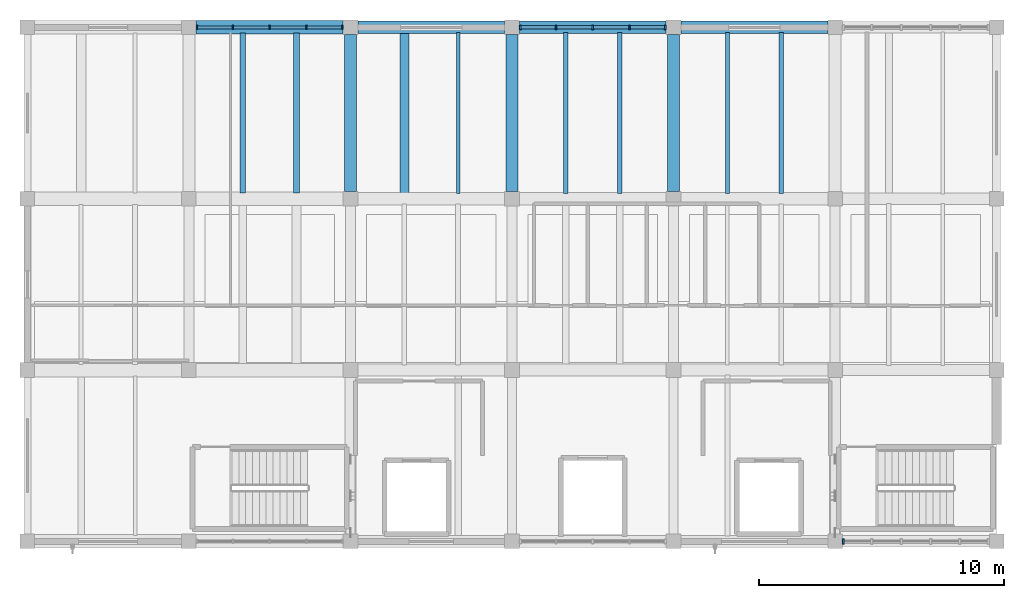
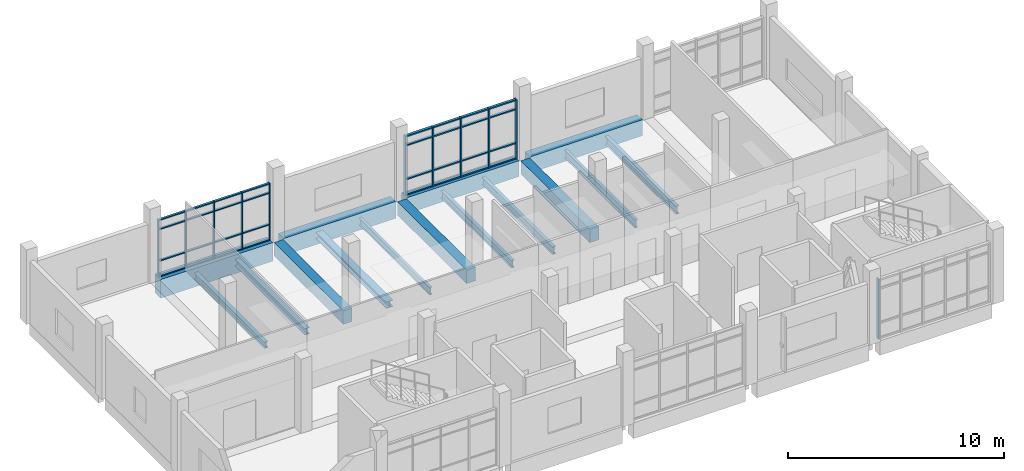
# One storey, part 4 of 14: 43 members, 15 beams, 3 elements without a shape of their own.
"""IFC4 building model written with IfcOpenShell, lengths in metres."""

from ifc_helpers import new_model, si_unit, direction, frame, origin, origin_2d, place, context, subcontext, project, spatial, rectangle, i_section, extrude, material, material_profile, profile_set, type_object, element, aggregate, save


model = new_model("IFC4")

# Units and contexts
model_context = context("Model", 3, precision=1e-05, world=origin(), true_north=direction((0.0, 1.0)))
body_context = subcontext(model_context, "Body", "Model", "MODEL_VIEW")
ifc_project = project(units=[si_unit("LENGTHUNIT", "METRE"), si_unit("AREAUNIT", "SQUARE_METRE"), si_unit("VOLUMEUNIT", "CUBIC_METRE"), si_unit("PLANEANGLEUNIT", "RADIAN"), si_unit("MASSUNIT", "GRAM", prefix="KILO")], contexts=[model_context])

# Site, building, storey
site_placement = place(None, origin())
site = spatial("IfcSite", under=ifc_project, at=site_placement, CompositionType="ELEMENT")
building_placement = place(site_placement, origin())
building = spatial("IfcBuilding", under=site, at=building_placement, Name="Ciguamira Faculty of Natural Sciences", CompositionType="ELEMENT")
storey_placement = place(building_placement, frame((0.0, 0.0, 33.60009765625)))
storey = spatial("IfcBuildingStorey", under=building, at=storey_placement, Name="L08", CompositionType="ELEMENT", Elevation=33.60009765625)

# Curtain wall, members
ifc_material_1 = material(Name="Anodized aluminium curtain wall", Category="aluminium")
curtain_wall_type_1 = type_object("IfcCurtainWallType", Name="CurtainWall_CW-01", PredefinedType="USERDEFINED", material=ifc_material_1)
curtain_wall_1_placement = place(storey_placement, origin())
curtain_wall_1 = element("IfcCurtainWall", 1, at=curtain_wall_1_placement, inside=storey, type_object=curtain_wall_type_1, Name="L08 unitised curtain wall 0157", ObjectType="UNITISED CURTAIN WALL", PredefinedType="USERDEFINED")
ifc_material_2 = material(Name="Anodized aluminium mullion", Category="aluminium")
ifc_material_profile_1 = material_profile(ifc_material_2, rectangle(XDim=0.06005859375, YDim=0.159912109375, at=origin_2d()), Name="ALU-MUL-60X160")
ifc_profile_set_1 = profile_set([ifc_material_profile_1], Name="Anodized aluminium mullion")
member_type_1 = type_object("IfcMemberType", Name="CWMullion_CWM-01", PredefinedType="MULLION", material=ifc_profile_set_1)
member_1_placement = place(storey_placement, frame((70.830078125, 115.0, 0.0), z_axis=(0.0, 0.0, 1.0), x_axis=(1.0, 0.0, 0.0)))
member_1 = element("IfcMember", 2, at=member_1_placement, type_object=member_type_1, Name="CW-01 mullion 1", PredefinedType="MULLION", context=body_context, shape_type="SweptSolid", body=[
    extrude(rectangle(XDim=0.06005859375, YDim=0.159912109375, at=origin_2d()), origin(), (0.0, 0.0, 1.0), 3.23486328125),
])
member_2_placement = place(storey_placement, frame((72.300048828125, 115.0, 0.0), z_axis=(0.0, 0.0, 1.0), x_axis=(1.0, 0.0, 0.0)))
member_2 = element("IfcMember", 3, at=member_2_placement, type_object=member_type_1, Name="CW-01 mullion 2", PredefinedType="MULLION", context=body_context, shape_type="SweptSolid", body=[
    extrude(rectangle(XDim=0.06005859375, YDim=0.159912109375, at=origin_2d()), origin(), (0.0, 0.0, 1.0), 3.23486328125),
])
member_3_placement = place(storey_placement, frame((73.800048828125, 115.0, 0.0), z_axis=(0.0, 0.0, 1.0), x_axis=(1.0, 0.0, 0.0)))
member_3 = element("IfcMember", 4, at=member_3_placement, type_object=member_type_1, Name="CW-01 mullion 3", PredefinedType="MULLION", context=body_context, shape_type="SweptSolid", body=[
    extrude(rectangle(XDim=0.06005859375, YDim=0.159912109375, at=origin_2d()), origin(), (0.0, 0.0, 1.0), 3.23486328125),
])
member_4_placement = place(storey_placement, frame((75.300048828125, 115.0, 0.0), z_axis=(0.0, 0.0, 1.0), x_axis=(1.0, 0.0, 0.0)))
member_4 = element("IfcMember", 5, at=member_4_placement, type_object=member_type_1, Name="CW-01 mullion 4", PredefinedType="MULLION", context=body_context, shape_type="SweptSolid", body=[
    extrude(rectangle(XDim=0.06005859375, YDim=0.159912109375, at=origin_2d()), origin(), (0.0, 0.0, 1.0), 3.23486328125),
])
member_5_placement = place(storey_placement, frame((76.77001953125, 115.0, 0.0), z_axis=(0.0, 0.0, 1.0), x_axis=(1.0, 0.0, 0.0)))
member_5 = element("IfcMember", 6, at=member_5_placement, type_object=member_type_1, Name="CW-01 mullion 5", PredefinedType="MULLION", context=body_context, shape_type="SweptSolid", body=[
    extrude(rectangle(XDim=0.06005859375, YDim=0.159912109375, at=origin_2d()), origin(), (0.0, 0.0, 1.0), 3.23486328125),
])

curtain_wall_type_2 = type_object("IfcCurtainWallType", Name="CurtainWall_CW-02", PredefinedType="USERDEFINED", material=ifc_material_1)
curtain_wall_2_placement = place(storey_placement, origin())
curtain_wall_2 = element("IfcCurtainWall", 7, at=curtain_wall_2_placement, inside=storey, type_object=curtain_wall_type_2, Name="L08 unitised curtain wall 0158", ObjectType="UNITISED CURTAIN WALL", PredefinedType="USERDEFINED")
ifc_material_profile_2 = material_profile(ifc_material_2, rectangle(XDim=0.070068359375, YDim=0.179931640625, at=origin_2d()), Name="ALU-MUL-70X180")
ifc_profile_set_2 = profile_set([ifc_material_profile_2], Name="Anodized aluminium mullion")
member_type_2 = type_object("IfcMemberType", Name="CWMullion_CWM-02", PredefinedType="MULLION", material=ifc_profile_set_2)
member_6_placement = place(storey_placement, frame((84.034912109375, 115.0, 0.0), z_axis=(0.0, 0.0, 1.0), x_axis=(1.0, 0.0, 0.0)))
member_6 = element("IfcMember", 8, at=member_6_placement, type_object=member_type_2, Name="CW-02 mullion 1", PredefinedType="MULLION", context=body_context, shape_type="SweptSolid", body=[
    extrude(rectangle(XDim=0.070068359375, YDim=0.179931640625, at=origin_2d()), origin(), (0.0, 0.0, 1.0), 3.364990234375),
])
member_7_placement = place(storey_placement, frame((85.5, 115.0, 0.0), z_axis=(0.0, 0.0, 1.0), x_axis=(1.0, 0.0, 0.0)))
member_7 = element("IfcMember", 9, at=member_7_placement, type_object=member_type_2, Name="CW-02 mullion 2", PredefinedType="MULLION", context=body_context, shape_type="SweptSolid", body=[
    extrude(rectangle(XDim=0.070068359375, YDim=0.179931640625, at=origin_2d()), origin(), (0.0, 0.0, 1.0), 3.364990234375),
])
member_8_placement = place(storey_placement, frame((87.0, 115.0, 0.0), z_axis=(0.0, 0.0, 1.0), x_axis=(1.0, 0.0, 0.0)))
member_8 = element("IfcMember", 10, at=member_8_placement, type_object=member_type_2, Name="CW-02 mullion 3", PredefinedType="MULLION", context=body_context, shape_type="SweptSolid", body=[
    extrude(rectangle(XDim=0.070068359375, YDim=0.179931640625, at=origin_2d()), origin(), (0.0, 0.0, 1.0), 3.364990234375),
])
member_9_placement = place(storey_placement, frame((88.5, 115.0, 0.0), z_axis=(0.0, 0.0, 1.0), x_axis=(1.0, 0.0, 0.0)))
member_9 = element("IfcMember", 11, at=member_9_placement, type_object=member_type_2, Name="CW-02 mullion 4", PredefinedType="MULLION", context=body_context, shape_type="SweptSolid", body=[
    extrude(rectangle(XDim=0.070068359375, YDim=0.179931640625, at=origin_2d()), origin(), (0.0, 0.0, 1.0), 3.364990234375),
])
member_10_placement = place(storey_placement, frame((89.965087890625, 115.0, 0.0), z_axis=(0.0, 0.0, 1.0), x_axis=(1.0, 0.0, 0.0)))
member_10 = element("IfcMember", 12, at=member_10_placement, type_object=member_type_2, Name="CW-02 mullion 5", PredefinedType="MULLION", context=body_context, shape_type="SweptSolid", body=[
    extrude(rectangle(XDim=0.070068359375, YDim=0.179931640625, at=origin_2d()), origin(), (0.0, 0.0, 1.0), 3.364990234375),
])

# Curtain wall, member
curtain_wall_type_3 = type_object("IfcCurtainWallType", Name="CurtainWall_CW-12", PredefinedType="USERDEFINED", material=ifc_material_1)
curtain_wall_3_placement = place(storey_placement, origin())
curtain_wall_3 = element("IfcCurtainWall", 13, at=curtain_wall_3_placement, inside=storey, type_object=curtain_wall_type_3, Name="L08 unitised curtain wall 0156", ObjectType="UNITISED CURTAIN WALL", PredefinedType="USERDEFINED")
ifc_material_profile_3 = material_profile(ifc_material_2, rectangle(XDim=0.080078125, YDim=0.219970703125, at=origin_2d()), Name="ALU-MUL-80X220")
ifc_profile_set_3 = profile_set([ifc_material_profile_3], Name="Anodized aluminium mullion")
member_type_3 = type_object("IfcMemberType", Name="CWMullion_CWM-03", PredefinedType="MULLION", material=ifc_profile_set_3)
member_11_placement = place(storey_placement, frame((97.239990234375, 94.0, 0.0), z_axis=(0.0, 0.0, 1.0), x_axis=(1.0, 0.0, 0.0)))
member_11 = element("IfcMember", 14, at=member_11_placement, type_object=member_type_3, Name="CW-12 mullion 1", PredefinedType="MULLION", context=body_context, shape_type="SweptSolid", body=[
    extrude(rectangle(XDim=0.080078125, YDim=0.219970703125, at=origin_2d()), origin(), (0.0, 0.0, 1.0), 3.385009765625),
])
aggregate(curtain_wall_3, [member_11])

# Member
ifc_material_3 = material(Name="Anodized aluminium transom", Category="aluminium")
ifc_material_profile_4 = material_profile(ifc_material_3, rectangle(XDim=0.06005859375, YDim=0.1201171875, at=origin_2d()), Name="ALU-TRN-60X120")
ifc_profile_set_4 = profile_set([ifc_material_profile_4], Name="Anodized aluminium transom")
member_type_4 = type_object("IfcMemberType", Name="CWTransom_CWT-01", PredefinedType="USERDEFINED", material=ifc_profile_set_4)
member_12_placement = place(storey_placement, frame((70.860107421875, 115.0, 0.02978515625), z_axis=(1.0, 0.0, 0.0), x_axis=(0.0, 0.0, 1.0)))
member_12 = element("IfcMember", 15, at=member_12_placement, type_object=member_type_4, Name="CW-01 transom 1.1", ObjectType="TRANSOM", PredefinedType="USERDEFINED", context=body_context, shape_type="SweptSolid", body=[
    extrude(rectangle(XDim=0.06005859375, YDim=0.1201171875, at=origin_2d()), origin(), (0.0, 0.0, 1.0), 1.409912109375),
])

member_13_placement = place(storey_placement, frame((70.860107421875, 115.0, 0.89990234375), z_axis=(1.0, 0.0, 0.0), x_axis=(0.0, 0.0, 1.0)))
member_13 = element("IfcMember", 16, at=member_13_placement, type_object=member_type_4, Name="CW-01 transom 1.2", ObjectType="TRANSOM", PredefinedType="USERDEFINED", context=body_context, shape_type="SweptSolid", body=[
    extrude(rectangle(XDim=0.06005859375, YDim=0.1201171875, at=origin_2d()), origin(), (0.0, 0.0, 1.0), 1.409912109375),
])

member_14_placement = place(storey_placement, frame((70.860107421875, 115.0, 2.684814453125), z_axis=(1.0, 0.0, 0.0), x_axis=(0.0, 0.0, 1.0)))
member_14 = element("IfcMember", 17, at=member_14_placement, type_object=member_type_4, Name="CW-01 transom 1.3", ObjectType="TRANSOM", PredefinedType="USERDEFINED", context=body_context, shape_type="SweptSolid", body=[
    extrude(rectangle(XDim=0.06005859375, YDim=0.1201171875, at=origin_2d()), origin(), (0.0, 0.0, 1.0), 1.409912109375),
])

member_15_placement = place(storey_placement, frame((70.860107421875, 115.0, 3.204833984375), z_axis=(1.0, 0.0, 0.0), x_axis=(0.0, 0.0, 1.0)))
member_15 = element("IfcMember", 18, at=member_15_placement, type_object=member_type_4, Name="CW-01 transom 1.4", ObjectType="TRANSOM", PredefinedType="USERDEFINED", context=body_context, shape_type="SweptSolid", body=[
    extrude(rectangle(XDim=0.06005859375, YDim=0.1201171875, at=origin_2d()), origin(), (0.0, 0.0, 1.0), 1.409912109375),
])

member_16_placement = place(storey_placement, frame((72.330078125, 115.0, 0.02978515625), z_axis=(1.0, 0.0, 0.0), x_axis=(0.0, 0.0, 1.0)))
member_16 = element("IfcMember", 19, at=member_16_placement, type_object=member_type_4, Name="CW-01 transom 2.1", ObjectType="TRANSOM", PredefinedType="USERDEFINED", context=body_context, shape_type="SweptSolid", body=[
    extrude(rectangle(XDim=0.06005859375, YDim=0.1201171875, at=origin_2d()), origin(), (0.0, 0.0, 1.0), 1.43994140625),
])

member_17_placement = place(storey_placement, frame((72.330078125, 115.0, 0.89990234375), z_axis=(1.0, 0.0, 0.0), x_axis=(0.0, 0.0, 1.0)))
member_17 = element("IfcMember", 20, at=member_17_placement, type_object=member_type_4, Name="CW-01 transom 2.2", ObjectType="TRANSOM", PredefinedType="USERDEFINED", context=body_context, shape_type="SweptSolid", body=[
    extrude(rectangle(XDim=0.06005859375, YDim=0.1201171875, at=origin_2d()), origin(), (0.0, 0.0, 1.0), 1.43994140625),
])

member_18_placement = place(storey_placement, frame((72.330078125, 115.0, 2.684814453125), z_axis=(1.0, 0.0, 0.0), x_axis=(0.0, 0.0, 1.0)))
member_18 = element("IfcMember", 21, at=member_18_placement, type_object=member_type_4, Name="CW-01 transom 2.3", ObjectType="TRANSOM", PredefinedType="USERDEFINED", context=body_context, shape_type="SweptSolid", body=[
    extrude(rectangle(XDim=0.06005859375, YDim=0.1201171875, at=origin_2d()), origin(), (0.0, 0.0, 1.0), 1.43994140625),
])

member_19_placement = place(storey_placement, frame((72.330078125, 115.0, 3.204833984375), z_axis=(1.0, 0.0, 0.0), x_axis=(0.0, 0.0, 1.0)))
member_19 = element("IfcMember", 22, at=member_19_placement, type_object=member_type_4, Name="CW-01 transom 2.4", ObjectType="TRANSOM", PredefinedType="USERDEFINED", context=body_context, shape_type="SweptSolid", body=[
    extrude(rectangle(XDim=0.06005859375, YDim=0.1201171875, at=origin_2d()), origin(), (0.0, 0.0, 1.0), 1.43994140625),
])

member_20_placement = place(storey_placement, frame((73.830078125, 115.0, 0.02978515625), z_axis=(1.0, 0.0, 0.0), x_axis=(0.0, 0.0, 1.0)))
member_20 = element("IfcMember", 23, at=member_20_placement, type_object=member_type_4, Name="CW-01 transom 3.1", ObjectType="TRANSOM", PredefinedType="USERDEFINED", context=body_context, shape_type="SweptSolid", body=[
    extrude(rectangle(XDim=0.06005859375, YDim=0.1201171875, at=origin_2d()), origin(), (0.0, 0.0, 1.0), 1.43994140625),
])

member_21_placement = place(storey_placement, frame((73.830078125, 115.0, 0.89990234375), z_axis=(1.0, 0.0, 0.0), x_axis=(0.0, 0.0, 1.0)))
member_21 = element("IfcMember", 24, at=member_21_placement, type_object=member_type_4, Name="CW-01 transom 3.2", ObjectType="TRANSOM", PredefinedType="USERDEFINED", context=body_context, shape_type="SweptSolid", body=[
    extrude(rectangle(XDim=0.06005859375, YDim=0.1201171875, at=origin_2d()), origin(), (0.0, 0.0, 1.0), 1.43994140625),
])

member_22_placement = place(storey_placement, frame((73.830078125, 115.0, 2.684814453125), z_axis=(1.0, 0.0, 0.0), x_axis=(0.0, 0.0, 1.0)))
member_22 = element("IfcMember", 25, at=member_22_placement, type_object=member_type_4, Name="CW-01 transom 3.3", ObjectType="TRANSOM", PredefinedType="USERDEFINED", context=body_context, shape_type="SweptSolid", body=[
    extrude(rectangle(XDim=0.06005859375, YDim=0.1201171875, at=origin_2d()), origin(), (0.0, 0.0, 1.0), 1.43994140625),
])

member_23_placement = place(storey_placement, frame((73.830078125, 115.0, 3.204833984375), z_axis=(1.0, 0.0, 0.0), x_axis=(0.0, 0.0, 1.0)))
member_23 = element("IfcMember", 26, at=member_23_placement, type_object=member_type_4, Name="CW-01 transom 3.4", ObjectType="TRANSOM", PredefinedType="USERDEFINED", context=body_context, shape_type="SweptSolid", body=[
    extrude(rectangle(XDim=0.06005859375, YDim=0.1201171875, at=origin_2d()), origin(), (0.0, 0.0, 1.0), 1.43994140625),
])

member_24_placement = place(storey_placement, frame((75.330078125, 115.0, 0.02978515625), z_axis=(1.0, 0.0, 0.0), x_axis=(0.0, 0.0, 1.0)))
member_24 = element("IfcMember", 27, at=member_24_placement, type_object=member_type_4, Name="CW-01 transom 4.1", ObjectType="TRANSOM", PredefinedType="USERDEFINED", context=body_context, shape_type="SweptSolid", body=[
    extrude(rectangle(XDim=0.06005859375, YDim=0.1201171875, at=origin_2d()), origin(), (0.0, 0.0, 1.0), 1.409912109375),
])

member_25_placement = place(storey_placement, frame((75.330078125, 115.0, 0.89990234375), z_axis=(1.0, 0.0, 0.0), x_axis=(0.0, 0.0, 1.0)))
member_25 = element("IfcMember", 28, at=member_25_placement, type_object=member_type_4, Name="CW-01 transom 4.2", ObjectType="TRANSOM", PredefinedType="USERDEFINED", context=body_context, shape_type="SweptSolid", body=[
    extrude(rectangle(XDim=0.06005859375, YDim=0.1201171875, at=origin_2d()), origin(), (0.0, 0.0, 1.0), 1.409912109375),
])

member_26_placement = place(storey_placement, frame((75.330078125, 115.0, 2.684814453125), z_axis=(1.0, 0.0, 0.0), x_axis=(0.0, 0.0, 1.0)))
member_26 = element("IfcMember", 29, at=member_26_placement, type_object=member_type_4, Name="CW-01 transom 4.3", ObjectType="TRANSOM", PredefinedType="USERDEFINED", context=body_context, shape_type="SweptSolid", body=[
    extrude(rectangle(XDim=0.06005859375, YDim=0.1201171875, at=origin_2d()), origin(), (0.0, 0.0, 1.0), 1.409912109375),
])

member_27_placement = place(storey_placement, frame((75.330078125, 115.0, 3.204833984375), z_axis=(1.0, 0.0, 0.0), x_axis=(0.0, 0.0, 1.0)))
member_27 = element("IfcMember", 30, at=member_27_placement, type_object=member_type_4, Name="CW-01 transom 4.4", ObjectType="TRANSOM", PredefinedType="USERDEFINED", context=body_context, shape_type="SweptSolid", body=[
    extrude(rectangle(XDim=0.06005859375, YDim=0.1201171875, at=origin_2d()), origin(), (0.0, 0.0, 1.0), 1.409912109375),
])

aggregate(curtain_wall_1, [member_1, member_2, member_3, member_4, member_5, member_12, member_13, member_14, member_15, member_16, member_17, member_18, member_19, member_20, member_21, member_22, member_23, member_24, member_25, member_26, member_27])

ifc_material_profile_5 = material_profile(ifc_material_3, rectangle(XDim=0.070068359375, YDim=0.139892578125, at=origin_2d()), Name="ALU-TRN-70X140")
ifc_profile_set_5 = profile_set([ifc_material_profile_5], Name="Anodized aluminium transom")
member_type_5 = type_object("IfcMemberType", Name="CWTransom_CWT-02", PredefinedType="USERDEFINED", material=ifc_profile_set_5)
member_28_placement = place(storey_placement, frame((84.070068359375, 115.0, 0.034912109375), z_axis=(1.0, 0.0, 0.0), x_axis=(0.0, 0.0, 1.0)))
member_28 = element("IfcMember", 31, at=member_28_placement, type_object=member_type_5, Name="CW-02 transom 1.1", ObjectType="TRANSOM", PredefinedType="USERDEFINED", context=body_context, shape_type="SweptSolid", body=[
    extrude(rectangle(XDim=0.070068359375, YDim=0.139892578125, at=origin_2d()), origin(), (0.0, 0.0, 1.0), 1.39501953125),
])

member_29_placement = place(storey_placement, frame((84.070068359375, 115.0, 0.89990234375), z_axis=(1.0, 0.0, 0.0), x_axis=(0.0, 0.0, 1.0)))
member_29 = element("IfcMember", 32, at=member_29_placement, type_object=member_type_5, Name="CW-02 transom 1.2", ObjectType="TRANSOM", PredefinedType="USERDEFINED", context=body_context, shape_type="SweptSolid", body=[
    extrude(rectangle(XDim=0.070068359375, YDim=0.139892578125, at=origin_2d()), origin(), (0.0, 0.0, 1.0), 1.39501953125),
])

member_30_placement = place(storey_placement, frame((84.070068359375, 115.0, 2.81494140625), z_axis=(1.0, 0.0, 0.0), x_axis=(0.0, 0.0, 1.0)))
member_30 = element("IfcMember", 33, at=member_30_placement, type_object=member_type_5, Name="CW-02 transom 1.3", ObjectType="TRANSOM", PredefinedType="USERDEFINED", context=body_context, shape_type="SweptSolid", body=[
    extrude(rectangle(XDim=0.070068359375, YDim=0.139892578125, at=origin_2d()), origin(), (0.0, 0.0, 1.0), 1.39501953125),
])

member_31_placement = place(storey_placement, frame((84.070068359375, 115.0, 3.329833984375), z_axis=(1.0, 0.0, 0.0), x_axis=(0.0, 0.0, 1.0)))
member_31 = element("IfcMember", 34, at=member_31_placement, type_object=member_type_5, Name="CW-02 transom 1.4", ObjectType="TRANSOM", PredefinedType="USERDEFINED", context=body_context, shape_type="SweptSolid", body=[
    extrude(rectangle(XDim=0.070068359375, YDim=0.139892578125, at=origin_2d()), origin(), (0.0, 0.0, 1.0), 1.39501953125),
])

member_32_placement = place(storey_placement, frame((85.534912109375, 115.0, 0.034912109375), z_axis=(1.0, 0.0, 0.0), x_axis=(0.0, 0.0, 1.0)))
member_32 = element("IfcMember", 35, at=member_32_placement, type_object=member_type_5, Name="CW-02 transom 2.1", ObjectType="TRANSOM", PredefinedType="USERDEFINED", context=body_context, shape_type="SweptSolid", body=[
    extrude(rectangle(XDim=0.070068359375, YDim=0.139892578125, at=origin_2d()), origin(), (0.0, 0.0, 1.0), 1.43017578125),
])

member_33_placement = place(storey_placement, frame((85.534912109375, 115.0, 0.89990234375), z_axis=(1.0, 0.0, 0.0), x_axis=(0.0, 0.0, 1.0)))
member_33 = element("IfcMember", 36, at=member_33_placement, type_object=member_type_5, Name="CW-02 transom 2.2", ObjectType="TRANSOM", PredefinedType="USERDEFINED", context=body_context, shape_type="SweptSolid", body=[
    extrude(rectangle(XDim=0.070068359375, YDim=0.139892578125, at=origin_2d()), origin(), (0.0, 0.0, 1.0), 1.43017578125),
])

member_34_placement = place(storey_placement, frame((85.534912109375, 115.0, 2.81494140625), z_axis=(1.0, 0.0, 0.0), x_axis=(0.0, 0.0, 1.0)))
member_34 = element("IfcMember", 37, at=member_34_placement, type_object=member_type_5, Name="CW-02 transom 2.3", ObjectType="TRANSOM", PredefinedType="USERDEFINED", context=body_context, shape_type="SweptSolid", body=[
    extrude(rectangle(XDim=0.070068359375, YDim=0.139892578125, at=origin_2d()), origin(), (0.0, 0.0, 1.0), 1.43017578125),
])

member_35_placement = place(storey_placement, frame((85.534912109375, 115.0, 3.329833984375), z_axis=(1.0, 0.0, 0.0), x_axis=(0.0, 0.0, 1.0)))
member_35 = element("IfcMember", 38, at=member_35_placement, type_object=member_type_5, Name="CW-02 transom 2.4", ObjectType="TRANSOM", PredefinedType="USERDEFINED", context=body_context, shape_type="SweptSolid", body=[
    extrude(rectangle(XDim=0.070068359375, YDim=0.139892578125, at=origin_2d()), origin(), (0.0, 0.0, 1.0), 1.43017578125),
])

member_36_placement = place(storey_placement, frame((87.034912109375, 115.0, 0.034912109375), z_axis=(1.0, 0.0, 0.0), x_axis=(0.0, 0.0, 1.0)))
member_36 = element("IfcMember", 39, at=member_36_placement, type_object=member_type_5, Name="CW-02 transom 3.1", ObjectType="TRANSOM", PredefinedType="USERDEFINED", context=body_context, shape_type="SweptSolid", body=[
    extrude(rectangle(XDim=0.070068359375, YDim=0.139892578125, at=origin_2d()), origin(), (0.0, 0.0, 1.0), 1.43017578125),
])

member_37_placement = place(storey_placement, frame((87.034912109375, 115.0, 0.89990234375), z_axis=(1.0, 0.0, 0.0), x_axis=(0.0, 0.0, 1.0)))
member_37 = element("IfcMember", 40, at=member_37_placement, type_object=member_type_5, Name="CW-02 transom 3.2", ObjectType="TRANSOM", PredefinedType="USERDEFINED", context=body_context, shape_type="SweptSolid", body=[
    extrude(rectangle(XDim=0.070068359375, YDim=0.139892578125, at=origin_2d()), origin(), (0.0, 0.0, 1.0), 1.43017578125),
])

member_38_placement = place(storey_placement, frame((87.034912109375, 115.0, 2.81494140625), z_axis=(1.0, 0.0, 0.0), x_axis=(0.0, 0.0, 1.0)))
member_38 = element("IfcMember", 41, at=member_38_placement, type_object=member_type_5, Name="CW-02 transom 3.3", ObjectType="TRANSOM", PredefinedType="USERDEFINED", context=body_context, shape_type="SweptSolid", body=[
    extrude(rectangle(XDim=0.070068359375, YDim=0.139892578125, at=origin_2d()), origin(), (0.0, 0.0, 1.0), 1.43017578125),
])

member_39_placement = place(storey_placement, frame((87.034912109375, 115.0, 3.329833984375), z_axis=(1.0, 0.0, 0.0), x_axis=(0.0, 0.0, 1.0)))
member_39 = element("IfcMember", 42, at=member_39_placement, type_object=member_type_5, Name="CW-02 transom 3.4", ObjectType="TRANSOM", PredefinedType="USERDEFINED", context=body_context, shape_type="SweptSolid", body=[
    extrude(rectangle(XDim=0.070068359375, YDim=0.139892578125, at=origin_2d()), origin(), (0.0, 0.0, 1.0), 1.43017578125),
])

member_40_placement = place(storey_placement, frame((88.534912109375, 115.0, 0.034912109375), z_axis=(1.0, 0.0, 0.0), x_axis=(0.0, 0.0, 1.0)))
member_40 = element("IfcMember", 43, at=member_40_placement, type_object=member_type_5, Name="CW-02 transom 4.1", ObjectType="TRANSOM", PredefinedType="USERDEFINED", context=body_context, shape_type="SweptSolid", body=[
    extrude(rectangle(XDim=0.070068359375, YDim=0.139892578125, at=origin_2d()), origin(), (0.0, 0.0, 1.0), 1.39501953125),
])

member_41_placement = place(storey_placement, frame((88.534912109375, 115.0, 0.89990234375), z_axis=(1.0, 0.0, 0.0), x_axis=(0.0, 0.0, 1.0)))
member_41 = element("IfcMember", 44, at=member_41_placement, type_object=member_type_5, Name="CW-02 transom 4.2", ObjectType="TRANSOM", PredefinedType="USERDEFINED", context=body_context, shape_type="SweptSolid", body=[
    extrude(rectangle(XDim=0.070068359375, YDim=0.139892578125, at=origin_2d()), origin(), (0.0, 0.0, 1.0), 1.39501953125),
])

member_42_placement = place(storey_placement, frame((88.534912109375, 115.0, 2.81494140625), z_axis=(1.0, 0.0, 0.0), x_axis=(0.0, 0.0, 1.0)))
member_42 = element("IfcMember", 45, at=member_42_placement, type_object=member_type_5, Name="CW-02 transom 4.3", ObjectType="TRANSOM", PredefinedType="USERDEFINED", context=body_context, shape_type="SweptSolid", body=[
    extrude(rectangle(XDim=0.070068359375, YDim=0.139892578125, at=origin_2d()), origin(), (0.0, 0.0, 1.0), 1.39501953125),
])

member_43_placement = place(storey_placement, frame((88.534912109375, 115.0, 3.329833984375), z_axis=(1.0, 0.0, 0.0), x_axis=(0.0, 0.0, 1.0)))
member_43 = element("IfcMember", 46, at=member_43_placement, type_object=member_type_5, Name="CW-02 transom 4.4", ObjectType="TRANSOM", PredefinedType="USERDEFINED", context=body_context, shape_type="SweptSolid", body=[
    extrude(rectangle(XDim=0.070068359375, YDim=0.139892578125, at=origin_2d()), origin(), (0.0, 0.0, 1.0), 1.39501953125),
])

aggregate(curtain_wall_2, [member_6, member_7, member_8, member_9, member_10, member_28, member_29, member_30, member_31, member_32, member_33, member_34, member_35, member_36, member_37, member_38, member_39, member_40, member_41, member_42, member_43])

# Beams
ifc_material_4 = material(Name="Concrete C40/50", Category="concrete")
ifc_material_profile_6 = material_profile(ifc_material_4, rectangle(XDim=0.550048828125, YDim=1.050048828125, at=origin_2d()), Name="RC-BM-550X1050")
ifc_profile_set_6 = profile_set([ifc_material_profile_6], Name="Concrete C40/50")
beam_type_1 = type_object("IfcBeamType", Name="RCBeam_BG-01_RC-BM-550X1050", PredefinedType="BEAM", material=ifc_profile_set_6)
beam_1_placement = place(storey_placement, frame((70.800048828125, 115.0, -0.525146484375), z_axis=(1.0, 0.0, 0.0), x_axis=(0.0, 1.0, 0.0)))
element("IfcBeam", 47, at=beam_1_placement, inside=storey, type_object=beam_type_1, Name="L08 RC girder EW-1611", PredefinedType="BEAM", context=body_context, shape_type="SweptSolid", body=[
    extrude(rectangle(XDim=0.550048828125, YDim=1.050048828125, at=origin_2d()), origin(), (0.0, 0.0, 1.0), 6.0),
])
ifc_material_profile_7 = material_profile(ifc_material_4, rectangle(XDim=0.5, YDim=0.949951171875, at=origin_2d()), Name="RC-BM-500X950")
ifc_profile_set_7 = profile_set([ifc_material_profile_7], Name="Concrete C40/50")
beam_type_2 = type_object("IfcBeamType", Name="RCBeam_BG-02_RC-BM-500X950", PredefinedType="BEAM", material=ifc_profile_set_7)
beam_2_placement = place(storey_placement, frame((77.39990234375, 115.0, -0.47509765625), z_axis=(1.0, 0.0, 0.0), x_axis=(0.0, 1.0, 0.0)))
element("IfcBeam", 48, at=beam_2_placement, inside=storey, type_object=beam_type_2, Name="L08 RC girder EW-1612", PredefinedType="BEAM", context=body_context, shape_type="SweptSolid", body=[
    extrude(rectangle(XDim=0.5, YDim=0.949951171875, at=origin_2d()), origin(), (0.0, 0.0, 1.0), 6.0),
])
ifc_material_profile_8 = material_profile(ifc_material_4, rectangle(XDim=0.5, YDim=0.89990234375, at=origin_2d()), Name="RC-BM-500X900")
ifc_profile_set_8 = profile_set([ifc_material_profile_8], Name="Concrete C40/50")
beam_type_3 = type_object("IfcBeamType", Name="RCBeam_BG-03_RC-BM-500X900", PredefinedType="BEAM", material=ifc_profile_set_8)
for number, where, z_axis, x_axis, name in (
    (49, (84.0, 115.0, -0.4501953125), (1.0, 0.0, 0.0), (0.0, 1.0, 0.0), "L08 RC girder EW-1613"),
    (50, (90.60009765625, 115.0, -0.4501953125), (1.0, 0.0, 0.0), (0.0, 1.0, 0.0), "L08 RC girder EW-1614"),
):
    element("IfcBeam", number, at=place(storey_placement, frame(where, z_axis=z_axis, x_axis=x_axis)), inside=storey, type_object=beam_type_3, Name=name, PredefinedType="BEAM", context=body_context, shape_type="SweptSolid", body=[
        extrude(rectangle(XDim=0.5, YDim=0.89990234375, at=origin_2d()), origin(), (0.0, 0.0, 1.0), 6.0),
    ])
ifc_material_profile_9 = material_profile(ifc_material_4, rectangle(XDim=0.47998046875, YDim=0.760009765625, at=origin_2d()), Name="RC-TB-480X760")
ifc_profile_set_9 = profile_set([ifc_material_profile_9], Name="Concrete C40/50")
beam_type_4 = type_object("IfcBeamType", Name="RCBeam_TB-01_RC-TB-480X760", PredefinedType="T_BEAM", material=ifc_profile_set_9)
for number, where, z_axis, x_axis, name in (
    (51, (77.10009765625, 108.300048828125, -0.380126953125), (0.0, 1.0, 0.0), (-1.0, 0.0, 0.0), "L08 girder NS-1622"),
    (52, (83.699951171875, 108.300048828125, -0.380126953125), (0.0, 1.0, 0.0), (-1.0, 0.0, 0.0), "L08 girder NS-1625"),
    (53, (90.300048828125, 108.300048828125, -0.380126953125), (0.0, 1.0, 0.0), (-1.0, 0.0, 0.0), "L08 girder NS-1628"),
):
    element("IfcBeam", number, at=place(storey_placement, frame(where, z_axis=z_axis, x_axis=x_axis)), inside=storey, type_object=beam_type_4, Name=name, PredefinedType="T_BEAM", context=body_context, shape_type="SweptSolid", body=[
        extrude(rectangle(XDim=0.47998046875, YDim=0.760009765625, at=origin_2d()), origin(), (0.0, 0.0, 1.0), 6.39990234375),
    ])
ifc_material_5 = material(Name="Steel ASTM A992 Grade 50", Category="steel")
ifc_material_profile_10 = material_profile(ifc_material_5, i_section(OverallWidth=0.204833984375, OverallDepth=0.35302734375, WebThickness=0.00927734375, FlangeThickness=0.016845703125, at=origin_2d()), Name="W14X53")
ifc_profile_set_10 = profile_set([ifc_material_profile_10], Name="Steel ASTM A992 Grade 50")
beam_type_5 = type_object("IfcBeamType", Name="SteelJoist_SJ-13_W14X53", PredefinedType="JOIST", material=ifc_profile_set_10)
beam_3_placement = place(storey_placement, frame((72.699951171875, 108.235107421875, -0.41650390625), z_axis=(0.0, 1.0, 0.0), x_axis=(-1.0, 0.0, 0.0)))
element("IfcBeam", 54, at=beam_3_placement, inside=storey, type_object=beam_type_5, Name="L08 composite steel joist 01458", PredefinedType="JOIST", context=body_context, shape_type="SweptSolid", body=[
    extrude(i_section(OverallWidth=0.204833984375, OverallDepth=0.35302734375, WebThickness=0.00927734375, FlangeThickness=0.016845703125, at=origin_2d()), origin(), (0.0, 0.0, 1.0), 6.52978515625),
])
ifc_material_profile_11 = material_profile(ifc_material_5, i_section(OverallWidth=0.25390625, OverallDepth=0.355712890625, WebThickness=0.010498046875, FlangeThickness=0.018310546875, at=origin_2d()), Name="W14X68")
ifc_profile_set_11 = profile_set([ifc_material_profile_11], Name="Steel ASTM A992 Grade 50")
beam_type_6 = type_object("IfcBeamType", Name="SteelJoist_SJ-14_W14X68", PredefinedType="JOIST", material=ifc_profile_set_11)
beam_4_placement = place(storey_placement, frame((74.89990234375, 108.235107421875, -0.41796875), z_axis=(0.0, 1.0, 0.0), x_axis=(-1.0, 0.0, 0.0)))
element("IfcBeam", 55, at=beam_4_placement, inside=storey, type_object=beam_type_6, Name="L08 composite steel joist 01459", PredefinedType="JOIST", context=body_context, shape_type="SweptSolid", body=[
    extrude(i_section(OverallWidth=0.25390625, OverallDepth=0.355712890625, WebThickness=0.010498046875, FlangeThickness=0.018310546875, at=origin_2d()), origin(), (0.0, 0.0, 1.0), 6.52978515625),
])
ifc_material_profile_12 = material_profile(ifc_material_5, i_section(OverallWidth=0.368408203125, OverallDepth=0.355712890625, WebThickness=0.01123046875, FlangeThickness=0.01806640625, at=origin_2d()), Name="W14X90")
ifc_profile_set_12 = profile_set([ifc_material_profile_12], Name="Steel ASTM A992 Grade 50")
beam_type_7 = type_object("IfcBeamType", Name="SteelJoist_SJ-16_W14X90", PredefinedType="JOIST", material=ifc_profile_set_12)
beam_5_placement = place(storey_placement, frame((79.300048828125, 108.2099609375, -0.41796875), z_axis=(0.0, 1.0, 0.0), x_axis=(-1.0, 0.0, 0.0)))
element("IfcBeam", 56, at=beam_5_placement, inside=storey, type_object=beam_type_7, Name="L08 composite steel joist 01463", PredefinedType="JOIST", context=body_context, shape_type="SweptSolid", body=[
    extrude(i_section(OverallWidth=0.368408203125, OverallDepth=0.355712890625, WebThickness=0.01123046875, FlangeThickness=0.01806640625, at=origin_2d()), origin(), (0.0, 0.0, 1.0), 6.580078125),
])
ifc_material_profile_13 = material_profile(ifc_material_5, i_section(OverallWidth=0.140380859375, OverallDepth=0.40380859375, WebThickness=0.007080078125, FlangeThickness=0.01123046875, at=origin_2d()), Name="W16X31")
ifc_profile_set_13 = profile_set([ifc_material_profile_13], Name="Steel ASTM A992 Grade 50")
beam_type_8 = type_object("IfcBeamType", Name="SteelJoist_SJ-17_W16X31", PredefinedType="JOIST", material=ifc_profile_set_13)
beam_6_placement = place(storey_placement, frame((81.5, 108.2099609375, -0.44189453125), z_axis=(0.0, 1.0, 0.0), x_axis=(-1.0, 0.0, 0.0)))
element("IfcBeam", 57, at=beam_6_placement, inside=storey, type_object=beam_type_8, Name="L08 composite steel joist 01464", PredefinedType="JOIST", context=body_context, shape_type="SweptSolid", body=[
    extrude(i_section(OverallWidth=0.140380859375, OverallDepth=0.40380859375, WebThickness=0.007080078125, FlangeThickness=0.01123046875, at=origin_2d()), origin(), (0.0, 0.0, 1.0), 6.580078125),
])
ifc_material_profile_14 = material_profile(ifc_material_5, i_section(OverallWidth=0.1787109375, OverallDepth=0.408935546875, WebThickness=0.0087890625, FlangeThickness=0.014404296875, at=origin_2d()), Name="W16X45")
ifc_profile_set_14 = profile_set([ifc_material_profile_14], Name="Steel ASTM A992 Grade 50")
beam_type_9 = type_object("IfcBeamType", Name="SteelJoist_SJ-19_W16X45", PredefinedType="JOIST", material=ifc_profile_set_14)
beam_7_placement = place(storey_placement, frame((85.89990234375, 108.2099609375, -0.444580078125), z_axis=(0.0, 1.0, 0.0), x_axis=(-1.0, 0.0, 0.0)))
element("IfcBeam", 58, at=beam_7_placement, inside=storey, type_object=beam_type_9, Name="L08 composite steel joist 01467", PredefinedType="JOIST", context=body_context, shape_type="SweptSolid", body=[
    extrude(i_section(OverallWidth=0.1787109375, OverallDepth=0.408935546875, WebThickness=0.0087890625, FlangeThickness=0.014404296875, at=origin_2d()), origin(), (0.0, 0.0, 1.0), 6.580078125),
])
ifc_material_profile_15 = material_profile(ifc_material_5, i_section(OverallWidth=0.180908203125, OverallDepth=0.41650390625, WebThickness=0.010986328125, FlangeThickness=0.01806640625, at=origin_2d()), Name="W16X57")
ifc_profile_set_15 = profile_set([ifc_material_profile_15], Name="Steel ASTM A992 Grade 50")
beam_type_10 = type_object("IfcBeamType", Name="SteelJoist_SJ-20_W16X57", PredefinedType="JOIST", material=ifc_profile_set_15)
beam_8_placement = place(storey_placement, frame((88.10009765625, 108.2099609375, -0.448486328125), z_axis=(0.0, 1.0, 0.0), x_axis=(-1.0, 0.0, 0.0)))
element("IfcBeam", 59, at=beam_8_placement, inside=storey, type_object=beam_type_10, Name="L08 composite steel joist 01468", PredefinedType="JOIST", context=body_context, shape_type="SweptSolid", body=[
    extrude(i_section(OverallWidth=0.180908203125, OverallDepth=0.41650390625, WebThickness=0.010986328125, FlangeThickness=0.01806640625, at=origin_2d()), origin(), (0.0, 0.0, 1.0), 6.580078125),
])
ifc_material_profile_16 = material_profile(ifc_material_5, i_section(OverallWidth=0.15283203125, OverallDepth=0.45458984375, WebThickness=0.008056640625, FlangeThickness=0.013427734375, at=origin_2d()), Name="W18X40")
ifc_profile_set_16 = profile_set([ifc_material_profile_16], Name="Steel ASTM A992 Grade 50")
beam_type_11 = type_object("IfcBeamType", Name="SteelJoist_SJ-22_W18X40", PredefinedType="JOIST", material=ifc_profile_set_16)
beam_9_placement = place(storey_placement, frame((92.5, 108.2099609375, -0.46728515625), z_axis=(0.0, 1.0, 0.0), x_axis=(-1.0, 0.0, 0.0)))
element("IfcBeam", 60, at=beam_9_placement, inside=storey, type_object=beam_type_11, Name="L08 composite steel joist 01472", PredefinedType="JOIST", context=body_context, shape_type="SweptSolid", body=[
    extrude(i_section(OverallWidth=0.15283203125, OverallDepth=0.45458984375, WebThickness=0.008056640625, FlangeThickness=0.013427734375, at=origin_2d()), origin(), (0.0, 0.0, 1.0), 6.580078125),
])
ifc_material_profile_17 = material_profile(ifc_material_5, i_section(OverallWidth=0.1904296875, OverallDepth=0.457275390625, WebThickness=0.009033203125, FlangeThickness=0.014404296875, at=origin_2d()), Name="W18X50")
ifc_profile_set_17 = profile_set([ifc_material_profile_17], Name="Steel ASTM A992 Grade 50")
beam_type_12 = type_object("IfcBeamType", Name="SteelJoist_SJ-23_W18X50", PredefinedType="JOIST", material=ifc_profile_set_17)
beam_10_placement = place(storey_placement, frame((94.699951171875, 108.2099609375, -0.46875), z_axis=(0.0, 1.0, 0.0), x_axis=(-1.0, 0.0, 0.0)))
element("IfcBeam", 61, at=beam_10_placement, inside=storey, type_object=beam_type_12, Name="L08 composite steel joist 01473", PredefinedType="JOIST", context=body_context, shape_type="SweptSolid", body=[
    extrude(i_section(OverallWidth=0.1904296875, OverallDepth=0.457275390625, WebThickness=0.009033203125, FlangeThickness=0.014404296875, at=origin_2d()), origin(), (0.0, 0.0, 1.0), 6.580078125),
])

save(model, "model.ifc")
